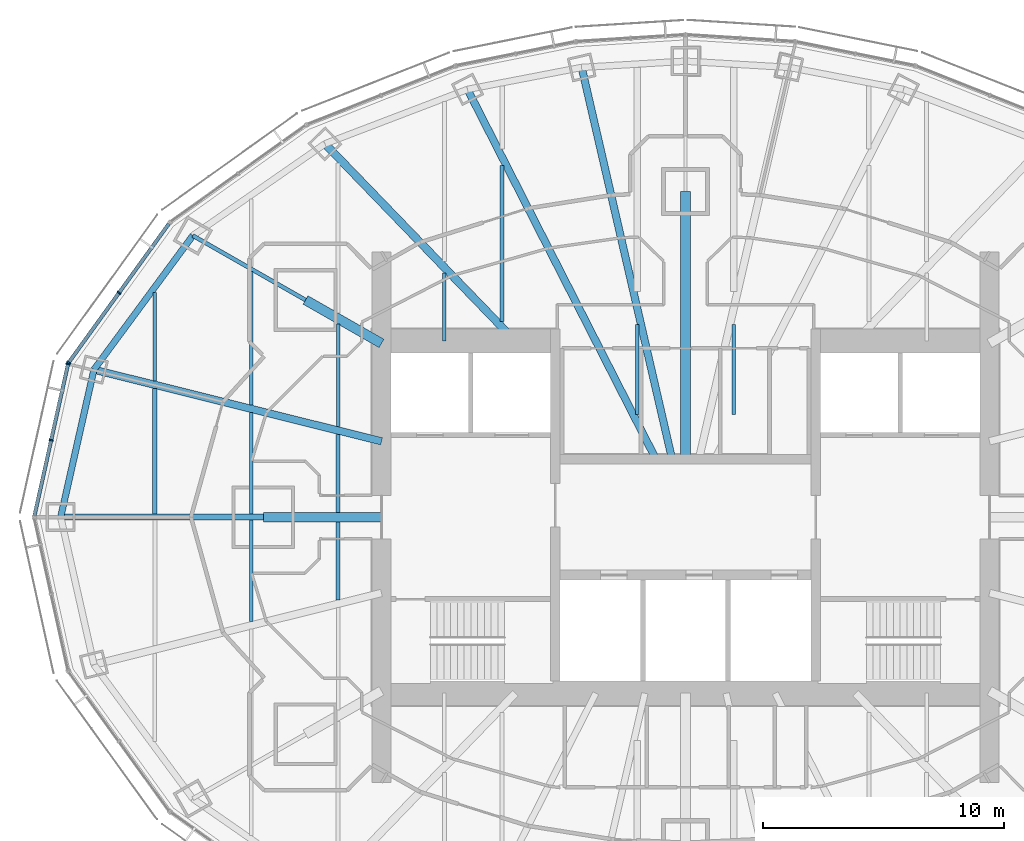
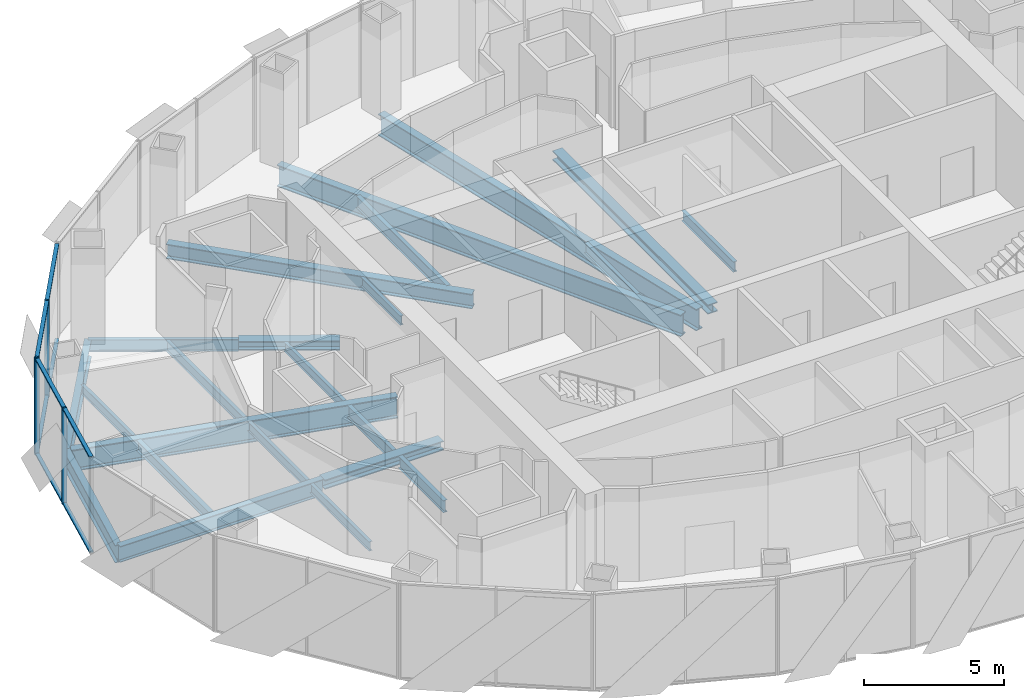
# One storey, part 4 of 18: 23 beams, 12 members, 2 elements without a shape of their own.
"""IFC4 building model written with IfcOpenShell, lengths in metres."""

from ifc_helpers import new_model, si_unit, direction, frame, origin, origin_2d, place, context, subcontext, project, spatial, rectangle, i_section, extrude, material, material_profile, profile_set, type_object, element, aggregate, save


model = new_model("IFC4")

# Units and contexts
model_context = context("Model", 3, precision=1e-05, world=origin(), true_north=direction((0.0, 1.0)))
body_context = subcontext(model_context, "Body", "Model", "MODEL_VIEW")
ifc_project = project(units=[si_unit("LENGTHUNIT", "METRE"), si_unit("AREAUNIT", "SQUARE_METRE"), si_unit("VOLUMEUNIT", "CUBIC_METRE"), si_unit("PLANEANGLEUNIT", "RADIAN"), si_unit("MASSUNIT", "GRAM", prefix="KILO")], contexts=[model_context])

# Site, building, storey
site_placement = place(None, origin())
site = spatial("IfcSite", under=ifc_project, at=site_placement, CompositionType="ELEMENT")
building_placement = place(site_placement, origin())
building = spatial("IfcBuilding", under=site, at=building_placement, Name="Lantaw Convention Tower", CompositionType="ELEMENT")
storey_placement = place(building_placement, frame((0.0, 0.0, 257.800048828125)))
storey = spatial("IfcBuildingStorey", under=building, at=storey_placement, Name="L60", CompositionType="ELEMENT", Elevation=257.800048828125)

# Beams
ifc_material_1 = material(Name="Steel ASTM A992", Category="steel")
ifc_material_profile_1 = material_profile(ifc_material_1, i_section(OverallWidth=0.2666015625, OverallDepth=0.76953125, WebThickness=0.015625, FlangeThickness=0.025390625, FilletRadius=0.0126953125, at=origin_2d()), Name="W30X132")
ifc_profile_set_1 = profile_set([ifc_material_profile_1], Name="Steel ASTM A992")
beam_type_1 = type_object("IfcBeamType", Name="Beam E W30X132", PredefinedType="SPANDREL", material=ifc_profile_set_1)
beam_1_placement = place(storey_placement, frame((-20.423095703125, 11.67041015625, -0.534912109375), z_axis=(-0.593639188853, -0.804731329984, 0.0), x_axis=(0.804731329984, -0.593639188853, 0.0)))
element("IfcBeam", 1, at=beam_1_placement, inside=storey, type_object=beam_type_1, Name="Edge beam 11", PredefinedType="SPANDREL", context=body_context, shape_type="SweptSolid", body=[
    extrude(i_section(OverallWidth=0.2666015625, OverallDepth=0.76953125, WebThickness=0.015625, FlangeThickness=0.025390625, FilletRadius=0.0126953125, at=origin_2d()), origin(), (0.0, 0.0, 1.0), 6.904541015625),
])
beam_2_placement = place(storey_placement, frame((-24.52197265625, 6.114013671875, -0.534912109375), z_axis=(-0.219857926596, -0.97553190215, 0.0), x_axis=(0.97553190215, -0.219857926596, 0.0)))
element("IfcBeam", 2, at=beam_2_placement, inside=storey, type_object=beam_type_1, Name="Edge beam 12", PredefinedType="SPANDREL", context=body_context, shape_type="SweptSolid", body=[
    extrude(i_section(OverallWidth=0.2666015625, OverallDepth=0.76953125, WebThickness=0.015625, FlangeThickness=0.025390625, FilletRadius=0.0126953125, at=origin_2d()), origin(), (0.0, 0.0, 1.0), 6.267333984375),
])
ifc_material_profile_2 = material_profile(ifc_material_1, i_section(OverallWidth=0.1650390625, OverallDepth=0.52587890625, WebThickness=0.0087890625, FlangeThickness=0.011474609375, FilletRadius=0.0126953125, at=origin_2d()), Name="W21X44")
ifc_profile_set_2 = profile_set([ifc_material_profile_2], Name="Steel ASTM A992")
beam_type_2 = type_object("IfcBeamType", Name="Beam G W21X44", PredefinedType="BEAM", material=ifc_profile_set_2)
beam_3_placement = place(storey_placement, frame((-15.75, 9.0, -0.412841796875), z_axis=(-0.868237559289, 0.496148708192, 0.0), x_axis=(-0.496148708192, -0.868237559289, 0.0)))
element("IfcBeam", 3, at=beam_3_placement, inside=storey, type_object=beam_type_2, Name="Floor girder on ray 11", PredefinedType="BEAM", context=body_context, shape_type="SweptSolid", body=[
    extrude(i_section(OverallWidth=0.1650390625, OverallDepth=0.52587890625, WebThickness=0.0087890625, FlangeThickness=0.011474609375, FilletRadius=0.0126953125, at=origin_2d()), origin(), (0.0, 0.0, 1.0), 5.38232421875),
])
ifc_material_profile_3 = material_profile(ifc_material_1, i_section(OverallWidth=0.32763671875, OverallDepth=0.64013671875, WebThickness=0.01904296875, FlangeThickness=0.033935546875, FilletRadius=0.0126953125, at=origin_2d()), Name="W24X176")
ifc_profile_set_3 = profile_set([ifc_material_profile_3], Name="Steel ASTM A992")
beam_type_3 = type_object("IfcBeamType", Name="Beam G W24X176", PredefinedType="BEAM", material=ifc_profile_set_3)
beam_4_placement = place(storey_placement, frame((-7.049560546875, 7.300048828125, -0.469970703125), z_axis=(-0.694657766726, 0.719340383356, 0.0), x_axis=(-0.719340383356, -0.694657766726, 0.0)))
element("IfcBeam", 4, at=beam_4_placement, inside=storey, type_object=beam_type_3, Name="Floor girder on ray 10", PredefinedType="BEAM", context=body_context, shape_type="SweptSolid", body=[
    extrude(i_section(OverallWidth=0.32763671875, OverallDepth=0.64013671875, WebThickness=0.01904296875, FlangeThickness=0.033935546875, FilletRadius=0.0126953125, at=origin_2d()), origin(), (0.0, 0.0, 1.0), 11.364990234375),
])
ifc_material_profile_4 = material_profile(ifc_material_1, i_section(OverallWidth=0.25390625, OverallDepth=0.700927734375, WebThickness=0.015380859375, FlangeThickness=0.02783203125, FilletRadius=0.01513671875, at=origin_2d()), Name="W27X129")
ifc_profile_set_4 = profile_set([ifc_material_profile_4], Name="Steel ASTM A992")
beam_type_4 = type_object("IfcBeamType", Name="Beam G W27X129", PredefinedType="BEAM", material=ifc_profile_set_4)
beam_5_placement = place(storey_placement, frame((-17.5, 0.0, -0.50048828125), z_axis=(-1.0, 0.0, 0.0), x_axis=(0.0, -1.0, 0.0)))
element("IfcBeam", 5, at=beam_5_placement, inside=storey, type_object=beam_type_4, Name="Floor girder on ray 13", PredefinedType="BEAM", context=body_context, shape_type="SweptSolid", body=[
    extrude(i_section(OverallWidth=0.25390625, OverallDepth=0.700927734375, WebThickness=0.015380859375, FlangeThickness=0.02783203125, FilletRadius=0.01513671875, at=origin_2d()), origin(), (0.0, 0.0, 1.0), 8.39990234375),
])
ifc_material_profile_5 = material_profile(ifc_material_1, i_section(OverallWidth=0.307373046875, OverallDepth=0.9423828125, WebThickness=0.022216796875, FlangeThickness=0.039794921875, FilletRadius=0.0126953125, at=origin_2d()), Name="W36X232")
ifc_profile_set_5 = profile_set([ifc_material_profile_5], Name="Steel ASTM A992")
beam_type_5 = type_object("IfcBeamType", Name="Beam G W36X232", PredefinedType="BEAM", material=ifc_profile_set_5)
beam_6_placement = place(storey_placement, frame((-0.55419921875, 2.39990234375, -0.621337890625), z_axis=(-0.224948287002, 0.974370703672, 0.0), x_axis=(-0.974370703672, -0.224948287002, 0.0)))
element("IfcBeam", 6, at=beam_6_placement, inside=storey, type_object=beam_type_5, Name="Floor girder on ray 8", PredefinedType="BEAM", context=body_context, shape_type="SweptSolid", body=[
    extrude(i_section(OverallWidth=0.307373046875, OverallDepth=0.9423828125, WebThickness=0.022216796875, FlangeThickness=0.039794921875, FilletRadius=0.0126953125, at=origin_2d()), origin(), (0.0, 0.0, 1.0), 16.66943359375),
])
beam_7_placement = place(storey_placement, frame((-1.222900390625, 2.39990234375, -0.621337890625), z_axis=(-0.453988481463, 0.891007552549, 0.0), x_axis=(-0.891007552549, -0.453988481463, 0.0)))
element("IfcBeam", 7, at=beam_7_placement, inside=storey, type_object=beam_type_5, Name="Floor girder on ray 9", PredefinedType="BEAM", context=body_context, shape_type="SweptSolid", body=[
    extrude(i_section(OverallWidth=0.307373046875, OverallDepth=0.9423828125, WebThickness=0.022216796875, FlangeThickness=0.039794921875, FilletRadius=0.0126953125, at=origin_2d()), origin(), (0.0, 0.0, 1.0), 17.20703125),
])
beam_8_placement = place(storey_placement, frame((-12.60009765625, 3.1416015625, -0.621337890625), z_axis=(-0.970296589314, 0.241918434119, 0.0), x_axis=(-0.241918434119, -0.970296589314, 0.0)))
element("IfcBeam", 8, at=beam_8_placement, inside=storey, type_object=beam_type_5, Name="Floor girder on ray 12", PredefinedType="BEAM", context=body_context, shape_type="SweptSolid", body=[
    extrude(i_section(OverallWidth=0.307373046875, OverallDepth=0.9423828125, WebThickness=0.022216796875, FlangeThickness=0.039794921875, FilletRadius=0.0126953125, at=origin_2d()), origin(), (0.0, 0.0, 1.0), 12.286865234375),
])
ifc_material_profile_6 = material_profile(ifc_material_1, i_section(OverallWidth=0.40380859375, OverallDepth=0.406494140625, WebThickness=0.027099609375, FlangeThickness=0.043701171875, FilletRadius=0.01513671875, at=origin_2d()), Name="W14X233")
ifc_profile_set_6 = profile_set([ifc_material_profile_6], Name="Steel ASTM A992")
beam_type_6 = type_object("IfcBeamType", Name="Beam GM W14X233", PredefinedType="BEAM", material=ifc_profile_set_6)
beam_9_placement = place(storey_placement, frame((0.0, 2.39990234375, -0.353271484375), z_axis=(0.0, 1.0, 0.0), x_axis=(-1.0, 0.0, 0.0)))
element("IfcBeam", 9, at=beam_9_placement, inside=storey, type_object=beam_type_6, Name="Core link beam on ray 7", PredefinedType="BEAM", context=body_context, shape_type="SweptSolid", body=[
    extrude(i_section(OverallWidth=0.40380859375, OverallDepth=0.406494140625, WebThickness=0.027099609375, FlangeThickness=0.043701171875, FilletRadius=0.01513671875, at=origin_2d()), origin(), (0.0, 0.0, 1.0), 11.10009765625),
])
beam_10_placement = place(storey_placement, frame((-12.60009765625, 7.199951171875, -0.353271484375), z_axis=(-0.868230718294, 0.496160679428, 0.0), x_axis=(-0.496160679428, -0.868230718294, 0.0)))
element("IfcBeam", 10, at=beam_10_placement, inside=storey, type_object=beam_type_6, Name="Core link beam on ray 11", PredefinedType="BEAM", context=body_context, shape_type="SweptSolid", body=[
    extrude(i_section(OverallWidth=0.40380859375, OverallDepth=0.406494140625, WebThickness=0.027099609375, FlangeThickness=0.043701171875, FilletRadius=0.01513671875, at=origin_2d()), origin(), (0.0, 0.0, 1.0), 3.6279296875),
])
beam_11_placement = place(storey_placement, frame((-12.60009765625, 0.0, -0.353271484375), z_axis=(-1.0, 0.0, 0.0), x_axis=(0.0, -1.0, 0.0)))
element("IfcBeam", 11, at=beam_11_placement, inside=storey, type_object=beam_type_6, Name="Core link beam on ray 13", PredefinedType="BEAM", context=body_context, shape_type="SweptSolid", body=[
    extrude(i_section(OverallWidth=0.40380859375, OverallDepth=0.406494140625, WebThickness=0.027099609375, FlangeThickness=0.043701171875, FilletRadius=0.01513671875, at=origin_2d()), origin(), (0.0, 0.0, 1.0), 4.89990234375),
])
ifc_material_profile_7 = material_profile(ifc_material_1, i_section(OverallWidth=0.140380859375, OverallDepth=0.40380859375, WebThickness=0.007080078125, FlangeThickness=0.01123046875, FilletRadius=0.01025390625, at=origin_2d()), Name="W16X31")
ifc_profile_set_7 = profile_set([ifc_material_profile_7], Name="Steel ASTM A992")
beam_type_7 = type_object("IfcBeamType", Name="Beam J W16X31", PredefinedType="JOIST", material=ifc_profile_set_7)
beam_12_placement = place(storey_placement, frame((-22.0, 5.6435546875, -0.35205078125), z_axis=(0.0, 1.0, 0.0), x_axis=(-1.0, 0.0, 0.0)))
element("IfcBeam", 12, at=beam_12_placement, inside=storey, type_object=beam_type_7, Name="Floor joist", PredefinedType="JOIST", context=body_context, shape_type="SweptSolid", body=[
    extrude(i_section(OverallWidth=0.140380859375, OverallDepth=0.40380859375, WebThickness=0.007080078125, FlangeThickness=0.01123046875, FilletRadius=0.01025390625, at=origin_2d()), origin(), (0.0, 0.0, 1.0), 3.66455078125),
])
for number, where, z_axis, x_axis, name in (
    (13, (-18.0, -4.32958984375, -0.35205078125), (0.0, 1.0, 0.0), (-1.0, 0.0, 0.0), "Floor joist"),
    (14, (-18.0, 0.126953125, -0.35205078125), (0.0, 1.0, 0.0), (-1.0, 0.0, 0.0), "Floor joist"),
):
    element("IfcBeam", number, at=place(storey_placement, frame(where, z_axis=z_axis, x_axis=x_axis)), inside=storey, type_object=beam_type_7, Name=name, PredefinedType="JOIST", context=body_context, shape_type="SweptSolid", body=[
        extrude(i_section(OverallWidth=0.140380859375, OverallDepth=0.40380859375, WebThickness=0.007080078125, FlangeThickness=0.01123046875, FilletRadius=0.01025390625, at=origin_2d()), origin(), (0.0, 0.0, 1.0), 4.20263671875),
    ])
beam_13_placement = place(storey_placement, frame((-14.39990234375, 3.748779296875, -0.35205078125), z_axis=(0.0, 1.0, 0.0), x_axis=(-1.0, 0.0, 0.0)))
element("IfcBeam", 15, at=beam_13_placement, inside=storey, type_object=beam_type_7, Name="Floor joist", PredefinedType="JOIST", context=body_context, shape_type="SweptSolid", body=[
    extrude(i_section(OverallWidth=0.140380859375, OverallDepth=0.40380859375, WebThickness=0.007080078125, FlangeThickness=0.01123046875, FilletRadius=0.01025390625, at=origin_2d()), origin(), (0.0, 0.0, 1.0), 4.247314453125),
])
beam_14_placement = place(storey_placement, frame((-10.0, 7.300048828125, -0.35205078125), z_axis=(0.0, 1.0, 0.0), x_axis=(-1.0, 0.0, 0.0)))
element("IfcBeam", 16, at=beam_14_placement, inside=storey, type_object=beam_type_7, Name="Floor joist", PredefinedType="JOIST", context=body_context, shape_type="SweptSolid", body=[
    extrude(i_section(OverallWidth=0.140380859375, OverallDepth=0.40380859375, WebThickness=0.007080078125, FlangeThickness=0.01123046875, FilletRadius=0.01025390625, at=origin_2d()), origin(), (0.0, 0.0, 1.0), 2.8193359375),
])
ifc_material_profile_8 = material_profile(ifc_material_1, i_section(OverallWidth=0.15234375, OverallDepth=0.449462890625, WebThickness=0.007568359375, FlangeThickness=0.0107421875, FilletRadius=0.01025390625, at=origin_2d()), Name="W18X35")
ifc_profile_set_8 = profile_set([ifc_material_profile_8], Name="Steel ASTM A992")
beam_type_8 = type_object("IfcBeamType", Name="Beam J W18X35", PredefinedType="JOIST", material=ifc_profile_set_8)
beam_15_placement = place(storey_placement, frame((-18.0, 4.646240234375, -0.374755859375), z_axis=(0.0, 1.0, 0.0), x_axis=(-1.0, 0.0, 0.0)))
element("IfcBeam", 17, at=beam_15_placement, inside=storey, type_object=beam_type_8, Name="Floor joist", PredefinedType="JOIST", context=body_context, shape_type="SweptSolid", body=[
    extrude(i_section(OverallWidth=0.15234375, OverallDepth=0.449462890625, WebThickness=0.007568359375, FlangeThickness=0.0107421875, FilletRadius=0.01025390625, at=origin_2d()), origin(), (0.0, 0.0, 1.0), 5.54443359375),
])
for number, where, z_axis, x_axis, name in (
    (18, (-2.0, 4.263671875, -0.374755859375), (0.0, 1.0, 0.0), (-1.0, 0.0, 0.0), "Floor joist"),
    (19, (2.0, 4.263671875, -0.374755859375), (0.0, 1.0, 0.0), (-1.0, 0.0, 0.0), "Floor joist"),
):
    element("IfcBeam", number, at=place(storey_placement, frame(where, z_axis=z_axis, x_axis=x_axis)), inside=storey, type_object=beam_type_8, Name=name, PredefinedType="JOIST", context=body_context, shape_type="SweptSolid", body=[
        extrude(i_section(OverallWidth=0.15234375, OverallDepth=0.449462890625, WebThickness=0.007568359375, FlangeThickness=0.0107421875, FilletRadius=0.01025390625, at=origin_2d()), origin(), (0.0, 0.0, 1.0), 3.716064453125),
    ])
ifc_material_profile_9 = material_profile(ifc_material_1, i_section(OverallWidth=0.1904296875, OverallDepth=0.457275390625, WebThickness=0.009033203125, FlangeThickness=0.014404296875, FilletRadius=0.01025390625, at=origin_2d()), Name="W18X50")
ifc_profile_set_9 = profile_set([ifc_material_profile_9], Name="Steel ASTM A992")
beam_type_9 = type_object("IfcBeamType", Name="Beam J W18X50", PredefinedType="JOIST", material=ifc_profile_set_9)
beam_16_placement = place(storey_placement, frame((-22.0, 0.126953125, -0.378662109375), z_axis=(0.0, 1.0, 0.0), x_axis=(-1.0, 0.0, 0.0)))
element("IfcBeam", 20, at=beam_16_placement, inside=storey, type_object=beam_type_9, Name="Floor joist", PredefinedType="JOIST", context=body_context, shape_type="SweptSolid", body=[
    extrude(i_section(OverallWidth=0.1904296875, OverallDepth=0.457275390625, WebThickness=0.009033203125, FlangeThickness=0.014404296875, FilletRadius=0.01025390625, at=origin_2d()), origin(), (0.0, 0.0, 1.0), 5.199951171875),
])
ifc_material_profile_10 = material_profile(ifc_material_1, i_section(OverallWidth=0.1650390625, OverallDepth=0.52587890625, WebThickness=0.0087890625, FlangeThickness=0.011474609375, FilletRadius=0.0126953125, at=origin_2d()), Name="W21X44")
ifc_profile_set_10 = profile_set([ifc_material_profile_10], Name="Steel ASTM A992")
beam_type_10 = type_object("IfcBeamType", Name="Beam J W21X44", PredefinedType="JOIST", material=ifc_profile_set_10)
for number, where, z_axis, x_axis, name in (
    (21, (-14.39990234375, -3.431884765625, -0.412841796875), (0.0, 1.0, 0.0), (-1.0, 0.0, 0.0), "Floor joist"),
    (22, (-14.39990234375, 0.201904296875, -0.412841796875), (0.0, 1.0, 0.0), (-1.0, 0.0, 0.0), "Floor joist"),
):
    element("IfcBeam", number, at=place(storey_placement, frame(where, z_axis=z_axis, x_axis=x_axis)), inside=storey, type_object=beam_type_10, Name=name, PredefinedType="JOIST", context=body_context, shape_type="SweptSolid", body=[
        extrude(i_section(OverallWidth=0.1650390625, OverallDepth=0.52587890625, WebThickness=0.0087890625, FlangeThickness=0.011474609375, FilletRadius=0.0126953125, at=origin_2d()), origin(), (0.0, 0.0, 1.0), 3.22998046875),
    ])
beam_17_placement = place(storey_placement, frame((-7.60009765625, 8.10595703125, -0.412841796875), z_axis=(0.0, 1.0, 0.0), x_axis=(-1.0, 0.0, 0.0)))
element("IfcBeam", 23, at=beam_17_placement, inside=storey, type_object=beam_type_10, Name="Floor joist", PredefinedType="JOIST", context=body_context, shape_type="SweptSolid", body=[
    extrude(i_section(OverallWidth=0.1650390625, OverallDepth=0.52587890625, WebThickness=0.0087890625, FlangeThickness=0.011474609375, FilletRadius=0.0126953125, at=origin_2d()), origin(), (0.0, 0.0, 1.0), 6.471435546875),
])

# Curtain wall, members
ifc_material_2 = material(Name="Aluminium framed curtain wall", Category="aluminium")
curtain_wall_type = type_object("IfcCurtainWallType", Name="Office curtain wall high rise, pale aluminium", PredefinedType="USERDEFINED", material=ifc_material_2)
curtain_wall_1_placement = place(storey_placement, origin())
curtain_wall_1 = element("IfcCurtainWall", 24, at=curtain_wall_1_placement, inside=storey, type_object=curtain_wall_type, Name="Office curtain wall high rise, pale aluminium L60", ObjectType="UNITISED CURTAIN WALL", PredefinedType="USERDEFINED")
ifc_material_3 = material(Name="Aluminium 6063-T6", Category="aluminium")
ifc_material_profile_11 = material_profile(ifc_material_3, rectangle(XDim=0.179931640625, YDim=0.06494140625, at=origin_2d()), Name="CW-O2 mullion 65x180")
ifc_profile_set_11 = profile_set([ifc_material_profile_11], Name="Aluminium 6063-T6")
member_type_1 = type_object("IfcMemberType", Name="CW-O2 mullion 65x180", PredefinedType="MULLION", material=ifc_profile_set_11)
member_1_placement = place(storey_placement, frame((-23.483642578125, 9.298095703125, -0.150146484375), z_axis=(0.0, 0.0, 1.0), x_axis=(0.810919559405, -0.585157643865, 0.0)))
member_1 = element("IfcMember", 25, at=member_1_placement, type_object=member_type_1, Name="CW-O2 mullion 2", PredefinedType="MULLION", context=body_context, shape_type="SweptSolid", body=[
    extrude(rectangle(XDim=0.179931640625, YDim=0.06494140625, at=origin_2d()), origin(), (0.0, 0.0, 1.0), 4.2001953125),
])
member_2_placement = place(storey_placement, frame((-25.5703125, 6.406494140625, -0.150146484375), z_axis=(0.0, 0.0, 1.0), x_axis=(0.810919559405, -0.585157643865, 0.0)))
member_2 = element("IfcMember", 26, at=member_2_placement, type_object=member_type_1, Name="CW-O2 mullion 3", PredefinedType="MULLION", context=body_context, shape_type="SweptSolid", body=[
    extrude(rectangle(XDim=0.179931640625, YDim=0.06494140625, at=origin_2d()), origin(), (0.0, 0.0, 1.0), 4.2001953125),
])

curtain_wall_2_placement = place(storey_placement, origin())
curtain_wall_2 = element("IfcCurtainWall", 27, at=curtain_wall_2_placement, inside=storey, type_object=curtain_wall_type, Name="Office curtain wall high rise, pale aluminium L60", ObjectType="UNITISED CURTAIN WALL", PredefinedType="USERDEFINED")
member_3_placement = place(storey_placement, frame((-25.596435546875, 6.348388671875, -0.150146484375), z_axis=(0.0, 0.0, 1.0), x_axis=(0.976417396437, -0.215891333626, 0.0)))
member_3 = element("IfcMember", 28, at=member_3_placement, type_object=member_type_1, Name="CW-O2 mullion 1", PredefinedType="MULLION", context=body_context, shape_type="SweptSolid", body=[
    extrude(rectangle(XDim=0.179931640625, YDim=0.06494140625, at=origin_2d()), origin(), (0.0, 0.0, 1.0), 4.2001953125),
])
member_4_placement = place(storey_placement, frame((-26.294677734375, 3.190185546875, -0.150146484375), z_axis=(0.0, 0.0, 1.0), x_axis=(0.976417396437, -0.215891333626, 0.0)))
member_4 = element("IfcMember", 29, at=member_4_placement, type_object=member_type_1, Name="CW-O2 mullion 2", PredefinedType="MULLION", context=body_context, shape_type="SweptSolid", body=[
    extrude(rectangle(XDim=0.179931640625, YDim=0.06494140625, at=origin_2d()), origin(), (0.0, 0.0, 1.0), 4.2001953125),
])

# Member
ifc_material_profile_12 = material_profile(ifc_material_3, rectangle(XDim=0.14990234375, YDim=0.06494140625, at=origin_2d()), Name="CW-O2 transom 65x150")
ifc_profile_set_12 = profile_set([ifc_material_profile_12], Name="Aluminium 6063-T6")
member_type_2 = type_object("IfcMemberType", Name="CW-O2 transom 65x150", PredefinedType="USERDEFINED", material=ifc_profile_set_12)
member_5_placement = place(storey_placement, frame((-21.416259765625, 12.163330078125, -0.117431640625), z_axis=(-0.585123825205, -0.810943961798, 0.0), x_axis=(0.810943961798, -0.585123825205, 0.0)))
member_5 = element("IfcMember", 30, at=member_5_placement, type_object=member_type_2, Name="CW-O2 transom 1.1", ObjectType="TRANSOM", PredefinedType="USERDEFINED", context=body_context, shape_type="SweptSolid", body=[
    extrude(rectangle(XDim=0.14990234375, YDim=0.06494140625, at=origin_2d()), origin(), (0.0, 0.0, 1.0), 3.500732421875),
])

member_6_placement = place(storey_placement, frame((-21.416259765625, 12.163330078125, 4.017333984375), z_axis=(-0.585123825205, -0.810943961798, 0.0), x_axis=(0.810943961798, -0.585123825205, 0.0)))
member_6 = element("IfcMember", 31, at=member_6_placement, type_object=member_type_2, Name="CW-O2 transom 1.2", ObjectType="TRANSOM", PredefinedType="USERDEFINED", context=body_context, shape_type="SweptSolid", body=[
    extrude(rectangle(XDim=0.14990234375, YDim=0.06494140625, at=origin_2d()), origin(), (0.0, 0.0, 1.0), 3.500732421875),
])

member_7_placement = place(storey_placement, frame((-23.502685546875, 9.271728515625, -0.117431640625), z_axis=(-0.585169685931, -0.810910869743, 0.0), x_axis=(0.810910869743, -0.585169685931, 0.0)))
member_7 = element("IfcMember", 32, at=member_7_placement, type_object=member_type_2, Name="CW-O2 transom 2.1", ObjectType="TRANSOM", PredefinedType="USERDEFINED", context=body_context, shape_type="SweptSolid", body=[
    extrude(rectangle(XDim=0.14990234375, YDim=0.06494140625, at=origin_2d()), origin(), (0.0, 0.0, 1.0), 3.500732421875),
])

member_8_placement = place(storey_placement, frame((-23.502685546875, 9.271728515625, 4.017333984375), z_axis=(-0.585169685931, -0.810910869743, 0.0), x_axis=(0.810910869743, -0.585169685931, 0.0)))
member_8 = element("IfcMember", 33, at=member_8_placement, type_object=member_type_2, Name="CW-O2 transom 2.2", ObjectType="TRANSOM", PredefinedType="USERDEFINED", context=body_context, shape_type="SweptSolid", body=[
    extrude(rectangle(XDim=0.14990234375, YDim=0.06494140625, at=origin_2d()), origin(), (0.0, 0.0, 1.0), 3.500732421875),
])

aggregate(curtain_wall_1, [member_1, member_2, member_5, member_6, member_7, member_8])

member_9_placement = place(storey_placement, frame((-25.603271484375, 6.316650390625, -0.117431640625), z_axis=(-0.215894607042, -0.976416672661, 0.0), x_axis=(0.976416672661, -0.215894607042, 0.0)))
member_9 = element("IfcMember", 34, at=member_9_placement, type_object=member_type_2, Name="CW-O2 transom 1.1", ObjectType="TRANSOM", PredefinedType="USERDEFINED", context=body_context, shape_type="SweptSolid", body=[
    extrude(rectangle(XDim=0.14990234375, YDim=0.06494140625, at=origin_2d()), origin(), (0.0, 0.0, 1.0), 3.169677734375),
])

member_10_placement = place(storey_placement, frame((-25.603271484375, 6.316650390625, 4.017333984375), z_axis=(-0.215894607042, -0.976416672661, 0.0), x_axis=(0.976416672661, -0.215894607042, 0.0)))
member_10 = element("IfcMember", 35, at=member_10_placement, type_object=member_type_2, Name="CW-O2 transom 1.2", ObjectType="TRANSOM", PredefinedType="USERDEFINED", context=body_context, shape_type="SweptSolid", body=[
    extrude(rectangle(XDim=0.14990234375, YDim=0.06494140625, at=origin_2d()), origin(), (0.0, 0.0, 1.0), 3.169677734375),
])

member_11_placement = place(storey_placement, frame((-26.3017578125, 3.158447265625, -0.117431640625), z_axis=(-0.215894607042, -0.976416672661, 0.0), x_axis=(0.976416672661, -0.215894607042, 0.0)))
member_11 = element("IfcMember", 36, at=member_11_placement, type_object=member_type_2, Name="CW-O2 transom 2.1", ObjectType="TRANSOM", PredefinedType="USERDEFINED", context=body_context, shape_type="SweptSolid", body=[
    extrude(rectangle(XDim=0.14990234375, YDim=0.06494140625, at=origin_2d()), origin(), (0.0, 0.0, 1.0), 3.169677734375),
])

member_12_placement = place(storey_placement, frame((-26.3017578125, 3.158447265625, 4.017333984375), z_axis=(-0.215894607042, -0.976416672661, 0.0), x_axis=(0.976416672661, -0.215894607042, 0.0)))
member_12 = element("IfcMember", 37, at=member_12_placement, type_object=member_type_2, Name="CW-O2 transom 2.2", ObjectType="TRANSOM", PredefinedType="USERDEFINED", context=body_context, shape_type="SweptSolid", body=[
    extrude(rectangle(XDim=0.14990234375, YDim=0.06494140625, at=origin_2d()), origin(), (0.0, 0.0, 1.0), 3.169677734375),
])

aggregate(curtain_wall_2, [member_3, member_4, member_9, member_10, member_11, member_12])

save(model, "model.ifc")
